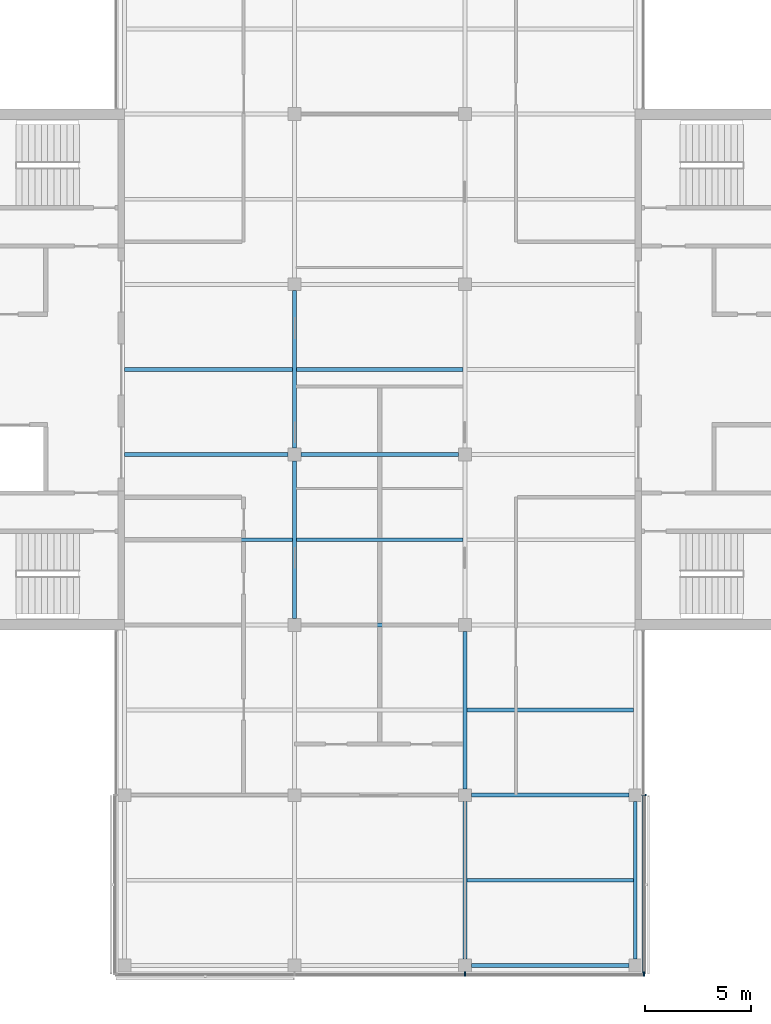
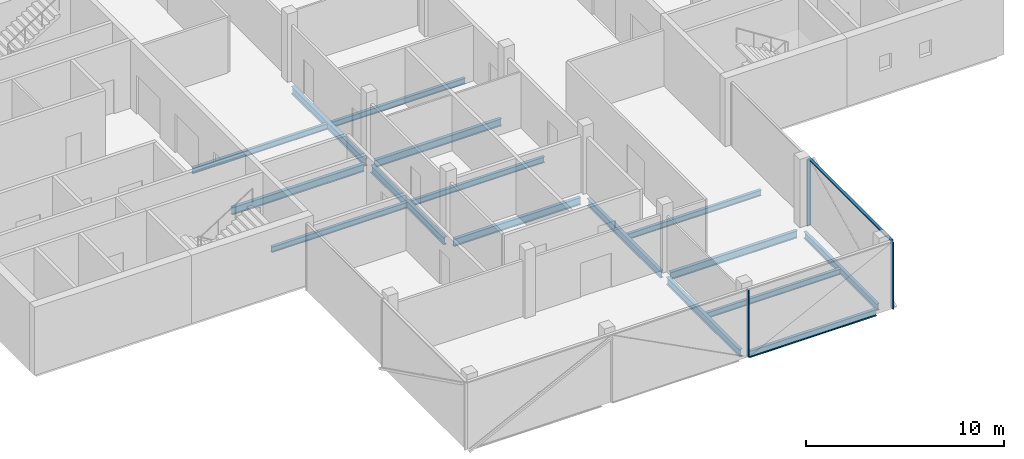
# One storey, part 3 of 15: 16 beams, 4 members, 2 elements without a shape of their own.
"""IFC4 building model written with IfcOpenShell, lengths in metres."""

from ifc_helpers import new_model, si_unit, direction, frame, origin, origin_2d, place, context, subcontext, project, spatial, rectangle, i_section, extrude, material, material_profile, profile_set, type_object, element, aggregate, save


model = new_model("IFC4")

# Units and contexts
model_context = context("Model", 3, precision=1e-05, world=origin(), true_north=direction((0.0, 1.0)))
body_context = subcontext(model_context, "Body", "Model", "MODEL_VIEW")
ifc_project = project(units=[si_unit("LENGTHUNIT", "METRE"), si_unit("AREAUNIT", "SQUARE_METRE"), si_unit("VOLUMEUNIT", "CUBIC_METRE"), si_unit("PLANEANGLEUNIT", "RADIAN"), si_unit("MASSUNIT", "GRAM", prefix="KILO")], contexts=[model_context])

# Site, building, storey
site_placement = place(None, origin())
site = spatial("IfcSite", under=ifc_project, at=site_placement, CompositionType="ELEMENT")
building_placement = place(site_placement, origin())
building = spatial("IfcBuilding", under=site, at=building_placement, Name="Crosswind Convention Tower", CompositionType="ELEMENT")
storey_placement = place(building_placement, frame((0.0, 0.0, 315.5)))
storey = spatial("IfcBuildingStorey", under=building, at=storey_placement, Name="L68", CompositionType="ELEMENT", Elevation=315.5)

# Beams
ifc_material_1 = material(Name="Steel S355", Category="steel")
ifc_material_profile_1 = material_profile(ifc_material_1, i_section(OverallWidth=0.177734375, OverallDepth=0.406494140625, WebThickness=0.0078125, FlangeThickness=0.0126953125, FilletRadius=0.01025390625, at=origin_2d()), Name="UB 406x178x60")
ifc_profile_set_1 = profile_set([ifc_material_profile_1], Name="Steel S355")
beam_type_1 = type_object("IfcBeamType", Name="Edge beam UB 406x178x60", PredefinedType="SPANDREL", material=ifc_profile_set_1)
for number, where, z_axis, x_axis, name in (
    (1, (129.300048828125, 72.0, -0.503173828125), (1.0, 0.0, 0.0), (0.0, 1.0, 0.0), "B15 L68 edge beam 9"),
    (2, (137.0, 72.300048828125, -0.503173828125), (0.0, 1.0, 0.0), (-1.0, 0.0, 0.0), "B15 L68 edge beam 11"),
):
    element("IfcBeam", number, at=place(storey_placement, frame(where, z_axis=z_axis, x_axis=x_axis)), inside=storey, type_object=beam_type_1, Name=name, PredefinedType="SPANDREL", context=body_context, shape_type="SweptSolid", body=[
        extrude(i_section(OverallWidth=0.177734375, OverallDepth=0.406494140625, WebThickness=0.0078125, FlangeThickness=0.0126953125, FilletRadius=0.01025390625, at=origin_2d()), origin(), (0.0, 0.0, 1.0), 7.39990234375),
    ])
ifc_material_profile_2 = material_profile(ifc_material_1, i_section(OverallWidth=0.18994140625, OverallDepth=0.45361328125, WebThickness=0.008544921875, FlangeThickness=0.0126953125, FilletRadius=0.01025390625, at=origin_2d()), Name="UB 457x191x67")
ifc_profile_set_2 = profile_set([ifc_material_profile_2], Name="Steel S355")
beam_type_2 = type_object("IfcBeamType", Name="Girder UB 457x191x67", PredefinedType="BEAM", material=ifc_profile_set_2)
for number, where, z_axis, x_axis, name in (
    (3, (121.0, 88.300048828125, -0.52685546875), (0.0, 1.0, 0.0), (-1.0, 0.0, 0.0), "B1 L68 girder 5"),
    (4, (121.0, 96.300048828125, -0.52685546875), (0.0, 1.0, 0.0), (-1.0, 0.0, 0.0), "B1 L68 girder 6"),
    (5, (121.300048828125, 88.0, -0.52685546875), (1.0, 0.0, 0.0), (0.0, 1.0, 0.0), "B1 L68 girder 11"),
    (6, (121.300048828125, 96.0, -0.52685546875), (1.0, 0.0, 0.0), (0.0, 1.0, 0.0), "B1 L68 girder 12"),
    (7, (129.0, 72.300048828125, -0.52685546875), (0.0, 1.0, 0.0), (-1.0, 0.0, 0.0), "B1 L68 girder 16"),
    (8, (129.0, 80.300048828125, -0.52685546875), (0.0, 1.0, 0.0), (-1.0, 0.0, 0.0), "B1 L68 girder 17"),
    (9, (129.300048828125, 80.0, -0.52685546875), (1.0, 0.0, 0.0), (0.0, 1.0, 0.0), "B1 L68 girder 23"),
):
    element("IfcBeam", number, at=place(storey_placement, frame(where, z_axis=z_axis, x_axis=x_axis)), inside=storey, type_object=beam_type_2, Name=name, PredefinedType="BEAM", context=body_context, shape_type="SweptSolid", body=[
        extrude(i_section(OverallWidth=0.18994140625, OverallDepth=0.45361328125, WebThickness=0.008544921875, FlangeThickness=0.0126953125, FilletRadius=0.01025390625, at=origin_2d()), origin(), (0.0, 0.0, 1.0), 7.39990234375),
    ])
ifc_material_profile_3 = material_profile(ifc_material_1, i_section(OverallWidth=0.1904296875, OverallDepth=0.457275390625, WebThickness=0.009033203125, FlangeThickness=0.014404296875, FilletRadius=0.01025390625, at=origin_2d()), Name="UB 457x191x75")
ifc_profile_set_3 = profile_set([ifc_material_profile_3], Name="Steel S355")
beam_type_3 = type_object("IfcBeamType", Name="Girder at core wall UB 457x191x75", PredefinedType="BEAM", material=ifc_profile_set_3)
beam_placement = place(storey_placement, frame((113.0, 96.0, -0.528564453125), z_axis=(1.0, 0.0, 0.0), x_axis=(0.0, 1.0, 0.0)))
element("IfcBeam", 10, at=beam_placement, inside=storey, type_object=beam_type_3, Name="B22 L68 girder at core wall 2", PredefinedType="BEAM", context=body_context, shape_type="SweptSolid", body=[
    extrude(i_section(OverallWidth=0.1904296875, OverallDepth=0.457275390625, WebThickness=0.009033203125, FlangeThickness=0.014404296875, FilletRadius=0.01025390625, at=origin_2d()), origin(), (0.0, 0.0, 1.0), 7.699951171875),
])

# Curtain wall, members
ifc_material_2 = material(Name="Aluminium unitised curtain wall", Category="aluminium")
curtain_wall_type = type_object("IfcCurtainWallType", Name="OFFICE UNITISED WALL 220", PredefinedType="USERDEFINED", material=ifc_material_2)
curtain_wall_1_placement = place(storey_placement, origin())
curtain_wall_1 = element("IfcCurtainWall", 11, at=curtain_wall_1_placement, inside=storey, type_object=curtain_wall_type, Name="CW3 L68 S-TIP 1", ObjectType="UNITISED", PredefinedType="USERDEFINED")
ifc_material_3 = material(Name="Aluminium mullion", Category="aluminium")
ifc_material_profile_4 = material_profile(ifc_material_3, rectangle(XDim=0.219970703125, YDim=0.070068359375, at=origin_2d()), Name="AL 220X70")
ifc_profile_set_4 = profile_set([ifc_material_profile_4], Name="Aluminium mullion")
member_type_1 = type_object("IfcMemberType", Name="MULLION 70X220", PredefinedType="MULLION", material=ifc_profile_set_4)
member_1_placement = place(storey_placement, frame((129.0, 71.590087890625, -0.300048828125), z_axis=(0.0, 0.0, 1.0), x_axis=(0.0, -1.0, 0.0)))
member_1 = element("IfcMember", 12, at=member_1_placement, type_object=member_type_1, Name="CW3 mullion 3", PredefinedType="MULLION", context=body_context, shape_type="SweptSolid", body=[
    extrude(rectangle(XDim=0.219970703125, YDim=0.070068359375, at=origin_2d()), origin(), (0.0, 0.0, 1.0), 4.130126953125),
])
member_2_placement = place(storey_placement, frame((137.409912109375, 71.590087890625, -0.300048828125), z_axis=(0.0, 0.0, 1.0), x_axis=(0.0, -1.0, 0.0)))
member_2 = element("IfcMember", 13, at=member_2_placement, type_object=member_type_1, Name="CW3 mullion 4", PredefinedType="MULLION", context=body_context, shape_type="SweptSolid", body=[
    extrude(rectangle(XDim=0.219970703125, YDim=0.070068359375, at=origin_2d()), origin(), (0.0, 0.0, 1.0), 4.130126953125),
])
aggregate(curtain_wall_1, [member_1, member_2])

# Curtain wall, member
curtain_wall_2_placement = place(storey_placement, origin())
curtain_wall_2 = element("IfcCurtainWall", 14, at=curtain_wall_2_placement, inside=storey, type_object=curtain_wall_type, Name="CW3 L68 S-E 1", ObjectType="UNITISED", PredefinedType="USERDEFINED")
member_3_placement = place(storey_placement, frame((137.409912109375, 80.0, -0.300048828125), z_axis=(0.0, 0.0, 1.0), x_axis=(1.0, 0.0, 0.0)))
member_3 = element("IfcMember", 15, at=member_3_placement, type_object=member_type_1, Name="CW3 mullion 2", PredefinedType="MULLION", context=body_context, shape_type="SweptSolid", body=[
    extrude(rectangle(XDim=0.219970703125, YDim=0.070068359375, at=origin_2d()), origin(), (0.0, 0.0, 1.0), 4.130126953125),
])

# Beams
ifc_material_profile_5 = material_profile(ifc_material_1, i_section(OverallWidth=0.17138671875, OverallDepth=0.355712890625, WebThickness=0.00732421875, FlangeThickness=0.011474609375, FilletRadius=0.01025390625, at=origin_2d()), Name="UB 356x171x51")
ifc_profile_set_5 = profile_set([ifc_material_profile_5], Name="Steel S355")
beam_type_4 = type_object("IfcBeamType", Name="Secondary beam UB 356x171x51", PredefinedType="JOIST", material=ifc_profile_set_5)
for number, where, z_axis, x_axis, name in (
    (16, (113.0, 92.0, -0.477783203125), (1.0, 0.0, 0.0), (0.0, 1.0, 0.0), "B8 L68 secondary beam 1"),
    (17, (113.0, 100.0, -0.477783203125), (1.0, 0.0, 0.0), (0.0, 1.0, 0.0), "B8 L68 secondary beam 2"),
):
    element("IfcBeam", number, at=place(storey_placement, frame(where, z_axis=z_axis, x_axis=x_axis)), inside=storey, type_object=beam_type_4, Name=name, PredefinedType="JOIST", context=body_context, shape_type="SweptSolid", body=[
        extrude(i_section(OverallWidth=0.17138671875, OverallDepth=0.355712890625, WebThickness=0.00732421875, FlangeThickness=0.011474609375, FilletRadius=0.01025390625, at=origin_2d()), origin(), (0.0, 0.0, 1.0), 7.905029296875),
    ])
for number, where, z_axis, x_axis, name in (
    (18, (121.094970703125, 92.0, -0.477783203125), (1.0, 0.0, 0.0), (0.0, 1.0, 0.0), "B8 L68 secondary beam 10"),
    (19, (121.094970703125, 100.0, -0.477783203125), (1.0, 0.0, 0.0), (0.0, 1.0, 0.0), "B8 L68 secondary beam 11"),
):
    element("IfcBeam", number, at=place(storey_placement, frame(where, z_axis=z_axis, x_axis=x_axis)), inside=storey, type_object=beam_type_4, Name=name, PredefinedType="JOIST", context=body_context, shape_type="SweptSolid", body=[
        extrude(i_section(OverallWidth=0.17138671875, OverallDepth=0.355712890625, WebThickness=0.00732421875, FlangeThickness=0.011474609375, FilletRadius=0.01025390625, at=origin_2d()), origin(), (0.0, 0.0, 1.0), 7.81005859375),
    ])
for number, where, z_axis, x_axis, name in (
    (20, (129.094970703125, 76.0, -0.477783203125), (1.0, 0.0, 0.0), (0.0, 1.0, 0.0), "B8 L68 secondary beam 15"),
    (21, (129.094970703125, 84.0, -0.477783203125), (1.0, 0.0, 0.0), (0.0, 1.0, 0.0), "B8 L68 secondary beam 16"),
):
    element("IfcBeam", number, at=place(storey_placement, frame(where, z_axis=z_axis, x_axis=x_axis)), inside=storey, type_object=beam_type_4, Name=name, PredefinedType="JOIST", context=body_context, shape_type="SweptSolid", body=[
        extrude(i_section(OverallWidth=0.17138671875, OverallDepth=0.355712890625, WebThickness=0.00732421875, FlangeThickness=0.011474609375, FilletRadius=0.01025390625, at=origin_2d()), origin(), (0.0, 0.0, 1.0), 7.816162109375),
    ])

# Member
ifc_material_4 = material(Name="Aluminium transom", Category="aluminium")
ifc_material_profile_6 = material_profile(ifc_material_4, rectangle(XDim=0.159912109375, YDim=0.070068359375, at=origin_2d()), Name="AL 160X70")
ifc_profile_set_6 = profile_set([ifc_material_profile_6], Name="Aluminium transom")
member_type_2 = type_object("IfcMemberType", Name="TRANSOM 70X160", PredefinedType="USERDEFINED", material=ifc_profile_set_6)
member_4_placement = place(storey_placement, frame((137.409912109375, 71.625, 3.864990234375), z_axis=(0.0, 1.0, 0.0), x_axis=(-1.0, 0.0, 0.0)))
member_4 = element("IfcMember", 22, at=member_4_placement, type_object=member_type_2, Name="CW3 transom", ObjectType="TRANSOM", PredefinedType="USERDEFINED", context=body_context, shape_type="SweptSolid", body=[
    extrude(rectangle(XDim=0.159912109375, YDim=0.070068359375, at=origin_2d()), origin(), (0.0, 0.0, 1.0), 8.340087890625),
])

aggregate(curtain_wall_2, [member_3, member_4])

save(model, "model.ifc")
